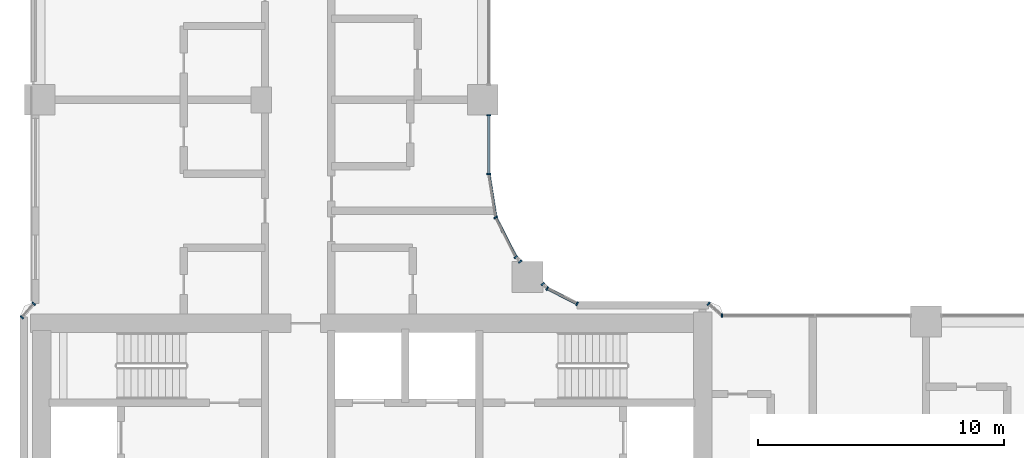
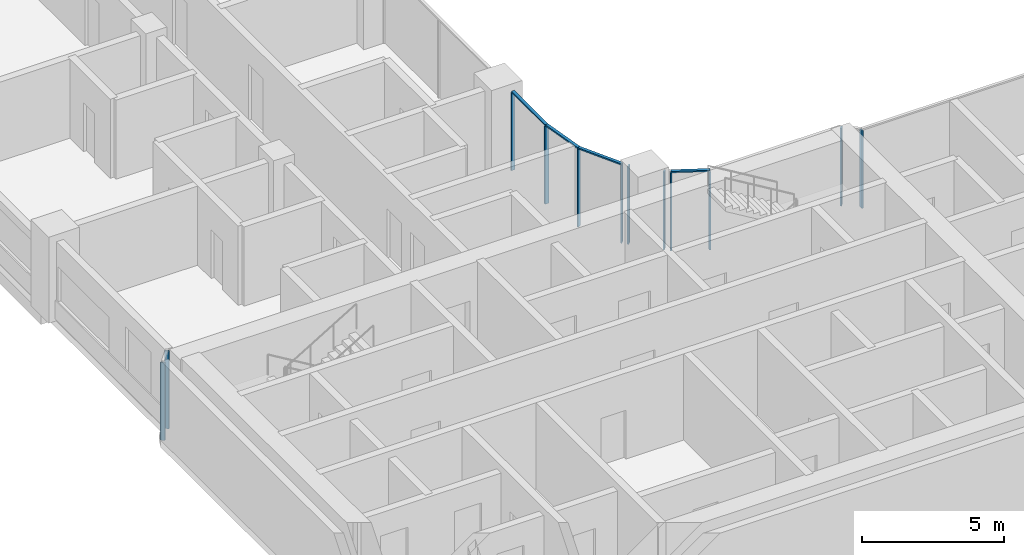
# One storey, part 2 of 33: 16 members, 6 elements without a shape of their own.
"""IFC4 building model written with IfcOpenShell, lengths in metres."""

from ifc_helpers import new_model, si_unit, direction, frame, origin, origin_2d, place, context, subcontext, project, spatial, rectangle, extrude, material, material_profile, profile_set, type_object, element, aggregate, save


model = new_model("IFC4")

# Units and contexts
model_context = context("Model", 3, precision=1e-05, world=origin(), true_north=direction((0.0, 1.0)))
body_context = subcontext(model_context, "Body", "Model", "MODEL_VIEW")
ifc_project = project(units=[si_unit("LENGTHUNIT", "METRE"), si_unit("AREAUNIT", "SQUARE_METRE"), si_unit("VOLUMEUNIT", "CUBIC_METRE"), si_unit("PLANEANGLEUNIT", "RADIAN"), si_unit("MASSUNIT", "GRAM", prefix="KILO")], contexts=[model_context])

# Site, building, storey
site_placement = place(None, origin())
site = spatial("IfcSite", under=ifc_project, at=site_placement, CompositionType="ELEMENT")
building_placement = place(site_placement, origin())
building = spatial("IfcBuilding", under=site, at=building_placement, Name="Ogive Portal Towers", CompositionType="ELEMENT")
storey_placement = place(building_placement, frame((0.0, 0.0, 101.89990234375)))
storey = spatial("IfcBuildingStorey", under=building, at=storey_placement, Name="L24", CompositionType="ELEMENT", Elevation=101.89990234375)

# Curtain wall, members
ifc_material_1 = material(Name="Glass, clear low-iron insulated glazing", Category="glass")
curtain_wall_type = type_object("IfcCurtainWallType", Name="CW FRONT RIBBON 4500", PredefinedType="NOTDEFINED", material=ifc_material_1)
curtain_wall_1_placement = place(storey_placement, origin())
curtain_wall_1 = element("IfcCurtainWall", 1, at=curtain_wall_1_placement, inside=storey, type_object=curtain_wall_type, Name="A:L24:f06:cw0~0", PredefinedType="NOTDEFINED")
ifc_material_2 = material(Name="Aluminium 6063 anodised", Category="aluminium")
ifc_material_profile_1 = material_profile(ifc_material_2, rectangle(XDim=0.159912109375, YDim=0.06005859375, at=origin_2d()), Name="AL 60x160")
ifc_profile_set_1 = profile_set([ifc_material_profile_1], Name="Aluminium 6063 anodised")
member_type_1 = type_object("IfcMemberType", Name="CW MULLION 60x160", PredefinedType="MULLION", material=ifc_profile_set_1)
member_1_placement = place(storey_placement, frame((49.739990234375, 45.49365234375, 0.0), z_axis=(0.0, 0.0, 1.0), x_axis=(-1.0, 0.0, 0.0)))
member_1 = element("IfcMember", 2, at=member_1_placement, type_object=member_type_1, Name="mullion", PredefinedType="MULLION", context=body_context, shape_type="SweptSolid", body=[
    extrude(rectangle(XDim=0.159912109375, YDim=0.06005859375, at=origin_2d()), origin(), (0.0, 0.0, 1.0), 3.340087890625),
])
member_2_placement = place(storey_placement, frame((49.739990234375, 47.875, 0.0), z_axis=(0.0, 0.0, 1.0), x_axis=(-1.0, 0.0, 0.0)))
member_2 = element("IfcMember", 3, at=member_2_placement, type_object=member_type_1, Name="mullion", PredefinedType="MULLION", context=body_context, shape_type="SweptSolid", body=[
    extrude(rectangle(XDim=0.159912109375, YDim=0.06005859375, at=origin_2d()), origin(), (0.0, 0.0, 1.0), 3.340087890625),
])

# Curtain wall, member
curtain_wall_2_placement = place(storey_placement, origin())
curtain_wall_2 = element("IfcCurtainWall", 4, at=curtain_wall_2_placement, inside=storey, type_object=curtain_wall_type, Name="A:L24:f26:cw0~3", PredefinedType="NOTDEFINED")
member_3_placement = place(storey_placement, frame((59.22021484375, 39.739990234375, 0.0), z_axis=(0.0, 0.0, 1.0), x_axis=(0.0, -1.0, 0.0)))
member_3 = element("IfcMember", 5, at=member_3_placement, type_object=member_type_1, Name="mullion", PredefinedType="MULLION", context=body_context, shape_type="SweptSolid", body=[
    extrude(rectangle(XDim=0.159912109375, YDim=0.06005859375, at=origin_2d()), origin(), (0.0, 0.0, 1.0), 3.340087890625),
])
aggregate(curtain_wall_2, [member_3])

curtain_wall_3_placement = place(storey_placement, origin())
curtain_wall_3 = element("IfcCurtainWall", 6, at=curtain_wall_3_placement, inside=storey, type_object=curtain_wall_type, Name="A:L24:f00:cwa", PredefinedType="NOTDEFINED")
member_4_placement = place(storey_placement, frame((58.669921875, 40.219970703125, 0.0), z_axis=(0.0, 0.0, 1.0), x_axis=(-0.657334513087, -0.753598923768, 0.0)))
member_4 = element("IfcMember", 7, at=member_4_placement, type_object=member_type_1, Name="mullion", PredefinedType="MULLION", context=body_context, shape_type="SweptSolid", body=[
    extrude(rectangle(XDim=0.159912109375, YDim=0.06005859375, at=origin_2d()), origin(), (0.0, 0.0, 1.0), 3.340087890625),
])
aggregate(curtain_wall_3, [member_4])

# Curtain wall, members
curtain_wall_4_placement = place(storey_placement, origin())
curtain_wall_4 = element("IfcCurtainWall", 8, at=curtain_wall_4_placement, inside=storey, type_object=curtain_wall_type, Name="A:L24:f02:cwa~0", PredefinedType="NOTDEFINED")
member_5_placement = place(storey_placement, frame((53.3291015625, 40.219970703125, 0.0), z_axis=(0.0, 0.0, 1.0), x_axis=(-0.45399049974, -0.891006524188, 0.0)))
member_5 = element("IfcMember", 9, at=member_5_placement, type_object=member_type_1, Name="mullion", PredefinedType="MULLION", context=body_context, shape_type="SweptSolid", body=[
    extrude(rectangle(XDim=0.159912109375, YDim=0.06005859375, at=origin_2d()), origin(), (0.0, 0.0, 1.0), 3.340087890625),
])
member_6_placement = place(storey_placement, frame((52.11376953125, 40.83935546875, 0.0), z_axis=(0.0, 0.0, 1.0), x_axis=(-0.45399049974, -0.891006524188, 0.0)))
member_6 = element("IfcMember", 10, at=member_6_placement, type_object=member_type_1, Name="mullion", PredefinedType="MULLION", context=body_context, shape_type="SweptSolid", body=[
    extrude(rectangle(XDim=0.159912109375, YDim=0.06005859375, at=origin_2d()), origin(), (0.0, 0.0, 1.0), 3.340087890625),
])
member_7_placement = place(storey_placement, frame((51.93505859375, 41.01806640625, 0.0), z_axis=(0.0, 0.0, 1.0), x_axis=(-0.707106781187, -0.707106781187, 0.0)))
member_7 = element("IfcMember", 11, at=member_7_placement, type_object=member_type_1, Name="mullion", PredefinedType="MULLION", context=body_context, shape_type="SweptSolid", body=[
    extrude(rectangle(XDim=0.159912109375, YDim=0.06005859375, at=origin_2d()), origin(), (0.0, 0.0, 1.0), 3.340087890625),
])

curtain_wall_5_placement = place(storey_placement, origin())
curtain_wall_5 = element("IfcCurtainWall", 12, at=curtain_wall_5_placement, inside=storey, type_object=curtain_wall_type, Name="A:L24:f02:cwa~1", PredefinedType="NOTDEFINED")
member_8_placement = place(storey_placement, frame((51.01806640625, 41.93505859375, 0.0), z_axis=(0.0, 0.0, 1.0), x_axis=(-0.707106781187, -0.707106781187, 0.0)))
member_8 = element("IfcMember", 13, at=member_8_placement, type_object=member_type_1, Name="mullion", PredefinedType="MULLION", context=body_context, shape_type="SweptSolid", body=[
    extrude(rectangle(XDim=0.159912109375, YDim=0.06005859375, at=origin_2d()), origin(), (0.0, 0.0, 1.0), 3.340087890625),
])
member_9_placement = place(storey_placement, frame((50.83935546875, 42.11376953125, 0.0), z_axis=(0.0, 0.0, 1.0), x_axis=(-0.707106781187, -0.707106781187, 0.0)))
member_9 = element("IfcMember", 14, at=member_9_placement, type_object=member_type_1, Name="mullion", PredefinedType="MULLION", context=body_context, shape_type="SweptSolid", body=[
    extrude(rectangle(XDim=0.159912109375, YDim=0.06005859375, at=origin_2d()), origin(), (0.0, 0.0, 1.0), 3.340087890625),
])
member_10_placement = place(storey_placement, frame((50.02099609375, 43.7197265625, 0.0), z_axis=(0.0, 0.0, 1.0), x_axis=(-0.891006524188, -0.45399049974, 0.0)))
member_10 = element("IfcMember", 15, at=member_10_placement, type_object=member_type_1, Name="mullion", PredefinedType="MULLION", context=body_context, shape_type="SweptSolid", body=[
    extrude(rectangle(XDim=0.159912109375, YDim=0.06005859375, at=origin_2d()), origin(), (0.0, 0.0, 1.0), 3.340087890625),
])

curtain_wall_6_placement = place(storey_placement, origin())
curtain_wall_6 = element("IfcCurtainWall", 16, at=curtain_wall_6_placement, inside=storey, type_object=curtain_wall_type, Name="A:L24:f13:cwa", PredefinedType="NOTDEFINED")
member_11_placement = place(storey_placement, frame((31.260009765625, 40.22021484375, 0.0), z_axis=(0.0, 0.0, 1.0), x_axis=(0.753598923768, -0.657334513087, 0.0)))
member_11 = element("IfcMember", 17, at=member_11_placement, type_object=member_type_1, Name="mullion", PredefinedType="MULLION", context=body_context, shape_type="SweptSolid", body=[
    extrude(rectangle(XDim=0.159912109375, YDim=0.06005859375, at=origin_2d()), origin(), (0.0, 0.0, 1.0), 3.340087890625),
])
member_12_placement = place(storey_placement, frame((30.780029296875, 39.669921875, 0.0), z_axis=(0.0, 0.0, 1.0), x_axis=(0.753598923768, -0.657334513087, 0.0)))
member_12 = element("IfcMember", 18, at=member_12_placement, type_object=member_type_1, Name="mullion", PredefinedType="MULLION", context=body_context, shape_type="SweptSolid", body=[
    extrude(rectangle(XDim=0.159912109375, YDim=0.06005859375, at=origin_2d()), origin(), (0.0, 0.0, 1.0), 3.340087890625),
])
aggregate(curtain_wall_6, [member_11, member_12])

# Member
ifc_material_profile_2 = material_profile(ifc_material_2, rectangle(XDim=0.1201171875, YDim=0.06005859375, at=origin_2d()), Name="AL 120x60")
ifc_profile_set_2 = profile_set([ifc_material_profile_2], Name="Aluminium 6063 anodised")
member_type_2 = type_object("IfcMemberType", Name="CW TRANSOM 60x120", PredefinedType="USERDEFINED", material=ifc_profile_set_2)
member_13_placement = place(storey_placement, frame((49.739990234375, 45.49365234375, 3.3701171875), z_axis=(0.0, 1.0, 0.0), x_axis=(-1.0, 0.0, 0.0)))
member_13 = element("IfcMember", 19, at=member_13_placement, type_object=member_type_2, Name="transom", ObjectType="TRANSOM", PredefinedType="USERDEFINED", context=body_context, shape_type="SweptSolid", body=[
    extrude(rectangle(XDim=0.1201171875, YDim=0.06005859375, at=origin_2d()), origin(), (0.0, 0.0, 1.0), 2.38134765625),
])

aggregate(curtain_wall_1, [member_13, member_1, member_2])

member_14_placement = place(storey_placement, frame((53.3291015625, 40.219970703125, 3.3701171875), z_axis=(-0.890964361459, 0.454073239257, 0.0), x_axis=(-0.454073239257, -0.890964361459, 0.0)))
member_14 = element("IfcMember", 20, at=member_14_placement, type_object=member_type_2, Name="transom", ObjectType="TRANSOM", PredefinedType="USERDEFINED", context=body_context, shape_type="SweptSolid", body=[
    extrude(rectangle(XDim=0.1201171875, YDim=0.06005859375, at=origin_2d()), origin(), (0.0, 0.0, 1.0), 1.364013671875),
])

aggregate(curtain_wall_4, [member_14, member_5, member_6, member_7])

member_15_placement = place(storey_placement, frame((50.83935546875, 42.11376953125, 3.3701171875), z_axis=(-0.45402723172, 0.890987807356, 0.0), x_axis=(-0.890987807356, -0.45402723172, 0.0)))
member_15 = element("IfcMember", 21, at=member_15_placement, type_object=member_type_2, Name="transom", ObjectType="TRANSOM", PredefinedType="USERDEFINED", context=body_context, shape_type="SweptSolid", body=[
    extrude(rectangle(XDim=0.1201171875, YDim=0.06005859375, at=origin_2d()), origin(), (0.0, 0.0, 1.0), 1.802490234375),
])

member_16_placement = place(storey_placement, frame((50.02099609375, 43.7197265625, 3.3701171875), z_axis=(-0.156458155909, 0.987684588039, 0.0), x_axis=(-0.987684588039, -0.156458155909, 0.0)))
member_16 = element("IfcMember", 22, at=member_16_placement, type_object=member_type_2, Name="transom", ObjectType="TRANSOM", PredefinedType="USERDEFINED", context=body_context, shape_type="SweptSolid", body=[
    extrude(rectangle(XDim=0.1201171875, YDim=0.06005859375, at=origin_2d()), origin(), (0.0, 0.0, 1.0), 1.796142578125),
])

aggregate(curtain_wall_5, [member_15, member_16, member_8, member_9, member_10])

save(model, "model.ifc")
